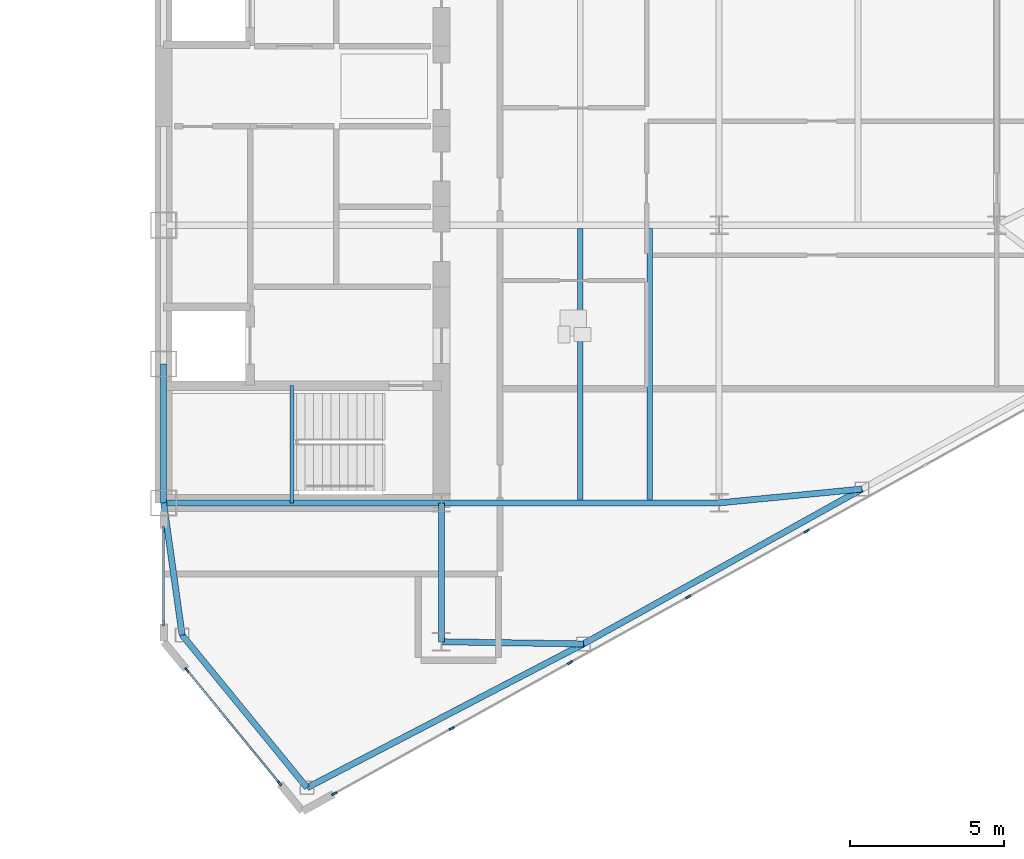
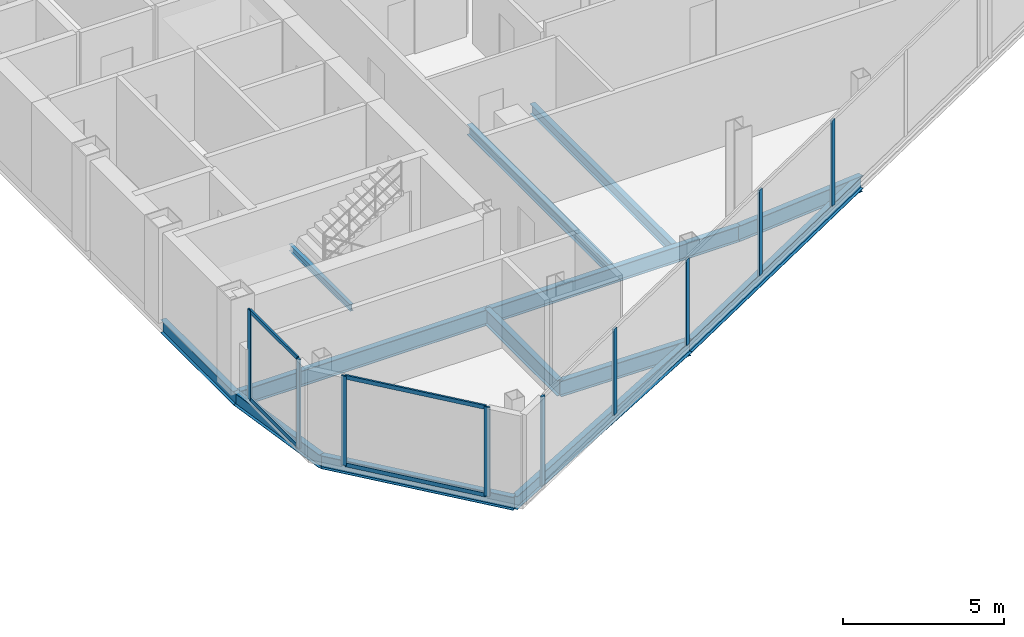
# One storey, part 11 of 26: 13 beams, 13 members, 3 elements without a shape of their own.
"""IFC4 building model written with IfcOpenShell, lengths in metres."""

from ifc_helpers import new_model, si_unit, direction, frame, origin, origin_2d, place, context, subcontext, project, spatial, rectangle, i_section, extrude, source, transform, mapped, material, layer, layer_set, material_profile, profile_set, type_object, type_shapes, element, aggregate, save


model = new_model("IFC4")

# Units and contexts
model_context = context("Model", 3, precision=1e-05, world=origin(), true_north=direction((0.0, 1.0)))
body_context = subcontext(model_context, "Body", "Model", "MODEL_VIEW")
ifc_project = project(units=[si_unit("LENGTHUNIT", "METRE"), si_unit("AREAUNIT", "SQUARE_METRE"), si_unit("VOLUMEUNIT", "CUBIC_METRE"), si_unit("PLANEANGLEUNIT", "RADIAN"), si_unit("MASSUNIT", "GRAM", prefix="KILO")], contexts=[model_context])

# Site, building, storey
site_placement = place(None, origin())
site = spatial("IfcSite", under=ifc_project, at=site_placement, CompositionType="ELEMENT")
building_placement = place(site_placement, origin())
building = spatial("IfcBuilding", under=site, at=building_placement, Name="Seokmaru Belvedere", CompositionType="ELEMENT")
storey_placement = place(building_placement, frame((0.0, 0.0, 192.300048828125)))
storey = spatial("IfcBuildingStorey", under=building, at=storey_placement, Name="L51", CompositionType="ELEMENT", Elevation=192.300048828125)

# Beams
ifc_material_1 = material(Name="Steel SM355 (355 MPa)", Category="steel")
ifc_material_profile_1 = material_profile(ifc_material_1, i_section(OverallWidth=0.199951171875, OverallDepth=0.5, WebThickness=0.010009765625, FlangeThickness=0.01611328125, at=origin_2d()), Name="H-500x200x10x16")
ifc_profile_set_1 = profile_set([ifc_material_profile_1], Name="Steel SM355 (355 MPa)")
beam_type_1 = type_object("IfcBeamType", Name="Perimeter Spandrel Beam H-500", PredefinedType="SPANDREL", material=ifc_profile_set_1)
shared_shape_1 = source(origin(), body_context, "Body", "SweptSolid", [
    extrude(i_section(OverallWidth=0.199951171875, OverallDepth=0.5, WebThickness=0.010009765625, FlangeThickness=0.01611328125, at=origin_2d()), origin(), (0.0, 0.0, 1.0), 4.5),
])
beam_1_placement = place(storey_placement, frame((27.5, -13.5, -0.469970703125), z_axis=(0.0, 1.0, 0.0), x_axis=(-1.0, 0.0, 0.0)))
element("IfcBeam", 1, at=beam_1_placement, inside=storey, type_object=beam_type_1, Name="L51 E Portal Spine Spandrel 1", PredefinedType="SPANDREL", context=body_context, shape_type="MappedRepresentation", body=[
    mapped(shared_shape_1, transform((0.0, 0.0, 0.0), scale=1.0)),
])
ifc_material_profile_2 = material_profile(ifc_material_1, i_section(OverallWidth=0.199951171875, OverallDepth=0.60009765625, WebThickness=0.010986328125, FlangeThickness=0.01708984375, at=origin_2d()), Name="H-600x200x11x17")
ifc_profile_set_2 = profile_set([ifc_material_profile_2], Name="Steel SM355 (355 MPa)")
beam_type_2 = type_object("IfcBeamType", Name="Primary Floor Girder H-600", PredefinedType="BEAM", material=ifc_profile_set_2)
shared_shape_2 = source(origin(), body_context, "Body", "SweptSolid", [
    extrude(i_section(OverallWidth=0.199951171875, OverallDepth=0.60009765625, WebThickness=0.010986328125, FlangeThickness=0.01708984375, at=origin_2d()), origin(), (0.0, 0.0, 1.0), 9.0),
])
for number, where, z_axis, x_axis, name in (
    (2, (27.5, -13.5, -0.52001953125), (1.0, 0.0, 0.0), (0.0, 1.0, 0.0), "L51 E Core Tie Girder 1"),
    (3, (36.5, -13.5, -0.52001953125), (1.0, 0.0, 0.0), (0.0, 1.0, 0.0), "L51 E Wing Primary Girder 1"),
):
    element("IfcBeam", number, at=place(storey_placement, frame(where, z_axis=z_axis, x_axis=x_axis)), inside=storey, type_object=beam_type_2, Name=name, PredefinedType="BEAM", context=body_context, shape_type="MappedRepresentation", body=[
        mapped(shared_shape_2, transform((0.0, 0.0, 0.0), scale=1.0)),
    ])
ifc_material_profile_3 = material_profile(ifc_material_1, i_section(OverallWidth=0.18505859375, OverallDepth=0.389892578125, WebThickness=0.008056640625, FlangeThickness=0.011962890625, at=origin_2d()), Name="H-390x185x8x12")
ifc_profile_set_3 = profile_set([ifc_material_profile_3], Name="Steel SM355 (355 MPa)")
beam_type_3 = type_object("IfcBeamType", Name="Secondary Floor Joist H-350", PredefinedType="JOIST", material=ifc_profile_set_3)
shared_shape_3 = source(origin(), body_context, "Body", "SweptSolid", [
    extrude(i_section(OverallWidth=0.18505859375, OverallDepth=0.389892578125, WebThickness=0.008056640625, FlangeThickness=0.011962890625, at=origin_2d()), origin(), (0.0, 0.0, 1.0), 8.7900390625),
])
type_shapes(beam_type_3, [shared_shape_3])
for number, where, z_axis, x_axis, name in (
    (4, (43.25, -13.39501953125, -0.4150390625), (0.0, 1.0, 0.0), (-1.0, 0.0, 0.0), "L51 E Wing Inner Secondary Joist 1"),
    (5, (41.0, -13.39501953125, -0.4150390625), (0.0, 1.0, 0.0), (-1.0, 0.0, 0.0), "L51 E Secondary Floor Joist 1"),
):
    element("IfcBeam", number, at=place(storey_placement, frame(where, z_axis=z_axis, x_axis=x_axis)), inside=storey, type_object=beam_type_3, Name=name, PredefinedType="JOIST", context=body_context, shape_type="MappedRepresentation", body=[
        mapped(shared_shape_3, transform((0.0, 0.0, 0.0), scale=1.0)),
    ])
shared_shape_4 = source(origin(), body_context, "Body", "SweptSolid", [
    extrude(i_section(OverallWidth=0.199951171875, OverallDepth=0.60009765625, WebThickness=0.010986328125, FlangeThickness=0.01708984375, at=origin_2d()), origin(), (0.0, 0.0, 1.0), 4.5),
])
beam_2_placement = place(storey_placement, frame((36.5, -18.0, -0.52001953125), z_axis=(0.0, 1.0, 0.0), x_axis=(-1.0, 0.0, 0.0)))
element("IfcBeam", 6, at=beam_2_placement, inside=storey, type_object=beam_type_2, Name="L51 E Core Shoulder Girder S", PredefinedType="BEAM", context=body_context, shape_type="MappedRepresentation", body=[
    mapped(shared_shape_4, transform((0.0, 0.0, 0.0), scale=1.0)),
])
shared_shape_5 = source(origin(), body_context, "Body", "SweptSolid", [
    extrude(i_section(OverallWidth=0.199951171875, OverallDepth=0.5, WebThickness=0.010009765625, FlangeThickness=0.01611328125, at=origin_2d()), origin(), (0.0, 0.0, 1.0), 10.09716796875),
])
beam_3_placement = place(storey_placement, frame((32.146728515625, -22.731689453125, -0.469970703125), z_axis=(0.887085728914, 0.461604711369, 0.0), x_axis=(-0.461604711369, 0.887085728914, 0.0)))
element("IfcBeam", 7, at=beam_3_placement, inside=storey, type_object=beam_type_1, Name="L51 E Faceted Flank Spandrel S-1", PredefinedType="SPANDREL", context=body_context, shape_type="MappedRepresentation", body=[
    mapped(shared_shape_5, transform((0.0, 0.0, 0.0), scale=1.0)),
])
shared_shape_6 = source(origin(), body_context, "Body", "SweptSolid", [
    extrude(i_section(OverallWidth=0.199951171875, OverallDepth=0.5, WebThickness=0.010009765625, FlangeThickness=0.01611328125, at=origin_2d()), origin(), (0.0, 0.0, 1.0), 10.327392578125),
])
beam_4_placement = place(storey_placement, frame((41.103759765625, -18.07080078125, -0.469970703125), z_axis=(0.873924120588, 0.486062374037, 0.0), x_axis=(-0.486062374037, 0.873924120588, 0.0)))
element("IfcBeam", 8, at=beam_4_placement, inside=storey, type_object=beam_type_1, Name="L51 E Faceted Flank Spandrel S-2", PredefinedType="SPANDREL", context=body_context, shape_type="MappedRepresentation", body=[
    mapped(shared_shape_6, transform((0.0, 0.0, 0.0), scale=1.0)),
])
shared_shape_7 = source(origin(), body_context, "Body", "SweptSolid", [
    extrude(i_section(OverallWidth=0.199951171875, OverallDepth=0.5, WebThickness=0.010009765625, FlangeThickness=0.01611328125, at=origin_2d()), origin(), (0.0, 0.0, 1.0), 6.390380859375),
])
beam_5_placement = place(storey_placement, frame((32.146728515625, -22.731689453125, -0.469970703125), z_axis=(-0.63324403161, 0.7739521926, 0.0), x_axis=(-0.7739521926, -0.63324403161, 0.0)))
element("IfcBeam", 9, at=beam_5_placement, inside=storey, type_object=beam_type_1, Name="L51 E Shoulder Chamfer Spandrel S", PredefinedType="SPANDREL", context=body_context, shape_type="MappedRepresentation", body=[
    mapped(shared_shape_7, transform((0.0, 0.0, 0.0), scale=1.0)),
])
shared_shape_8 = source(origin(), body_context, "Body", "SweptSolid", [
    extrude(i_section(OverallWidth=0.199951171875, OverallDepth=0.5, WebThickness=0.010009765625, FlangeThickness=0.01611328125, at=origin_2d()), origin(), (0.0, 0.0, 1.0), 4.32763671875),
])
type_shapes(beam_type_1, [shared_shape_1, shared_shape_5, shared_shape_6, shared_shape_7, shared_shape_8])
beam_6_placement = place(storey_placement, frame((28.10009765625, -17.785888671875, -0.469970703125), z_axis=(-0.138664443237, 0.990339422714, 0.0), x_axis=(-0.990339422714, -0.138664443237, 0.0)))
element("IfcBeam", 10, at=beam_6_placement, inside=storey, type_object=beam_type_1, Name="L51 E Shoulder Spine Spandrel S", PredefinedType="SPANDREL", context=body_context, shape_type="MappedRepresentation", body=[
    mapped(shared_shape_8, transform((0.0, 0.0, 0.0), scale=1.0)),
])
shared_shape_9 = source(origin(), body_context, "Body", "SweptSolid", [
    extrude(i_section(OverallWidth=0.199951171875, OverallDepth=0.60009765625, WebThickness=0.010986328125, FlangeThickness=0.01708984375, at=origin_2d()), origin(), (0.0, 0.0, 1.0), 4.604248046875),
])
beam_7_placement = place(storey_placement, frame((41.103759765625, -18.07080078125, -0.52001953125), z_axis=(-0.999881765622, 0.01537708607, 0.0), x_axis=(-0.01537708607, -0.999881765622, 0.0)))
element("IfcBeam", 11, at=beam_7_placement, inside=storey, type_object=beam_type_2, Name="L51 E Flank Radial Floor Girder S-1", PredefinedType="BEAM", context=body_context, shape_type="MappedRepresentation", body=[
    mapped(shared_shape_9, transform((0.0, 0.0, 0.0), scale=1.0)),
])
shared_shape_10 = source(origin(), body_context, "Body", "SweptSolid", [
    extrude(i_section(OverallWidth=0.199951171875, OverallDepth=0.60009765625, WebThickness=0.010986328125, FlangeThickness=0.01708984375, at=origin_2d()), origin(), (0.0, 0.0, 1.0), 4.65087890625),
])
type_shapes(beam_type_2, [shared_shape_2, shared_shape_4, shared_shape_9, shared_shape_10])
beam_8_placement = place(storey_placement, frame((50.129150390625, -13.051025390625, -0.52001953125), z_axis=(-0.995329534874, -0.09653557379, 0.0), x_axis=(0.09653557379, -0.995329534874, 0.0)))
element("IfcBeam", 12, at=beam_8_placement, inside=storey, type_object=beam_type_2, Name="L51 E Flank Radial Floor Girder S-2", PredefinedType="BEAM", context=body_context, shape_type="MappedRepresentation", body=[
    mapped(shared_shape_10, transform((0.0, 0.0, 0.0), scale=1.0)),
])

# Curtain wall, members
ifc_material_2 = material(Name="Bronze Triple Insulating Glass", Category="glass")
ifc_layer = layer(ifc_material_2, 0.179931640625)
ifc_layer_set = layer_set([ifc_layer], Name="Bronze Triple Insulating Glass")
curtain_wall_type = type_object("IfcCurtainWallType", Name="High-Rise Wind-Corner Curtain Wall System CW-5", PredefinedType="NOTDEFINED", material=ifc_layer_set)
curtain_wall_1_placement = place(storey_placement, origin())
curtain_wall_1 = element("IfcCurtainWall", 13, at=curtain_wall_1_placement, inside=storey, type_object=curtain_wall_type, Name="L51 Curtain Wall ESP_1", PredefinedType="NOTDEFINED")
ifc_material_3 = material(Name="Anodised Bronze Aluminium", Category="aluminium")
ifc_material_profile_4 = material_profile(ifc_material_3, rectangle(XDim=0.06494140625, YDim=0.14990234375, at=origin_2d()), Name="CW-T-65x150")
ifc_profile_set_4 = profile_set([ifc_material_profile_4], Name="Anodised Bronze Aluminium")
member_type_1 = type_object("IfcMemberType", Name="Bronze Unitised Transom 65x150", PredefinedType="USERDEFINED", material=ifc_profile_set_4)
shared_shape_11 = source(origin(), body_context, "Body", "SweptSolid", [
    extrude(rectangle(XDim=0.06494140625, YDim=0.14990234375, at=origin_2d()), origin(), (0.0, 0.0, 1.0), 2.969970703125),
])
member_1_placement = place(storey_placement, frame((27.5, -14.39501953125, 0.032470703125), z_axis=(0.0, -1.0, 0.0), x_axis=(1.0, 0.0, 0.0)))
member_1 = element("IfcMember", 14, at=member_1_placement, type_object=member_type_1, Name="CW:L51:ESP_1 Continuous Transom 1", ObjectType="TRANSOM", PredefinedType="USERDEFINED", context=body_context, shape_type="MappedRepresentation", body=[
    mapped(shared_shape_11, transform((0.0, 0.0, 0.0), scale=1.0)),
])
member_2_placement = place(storey_placement, frame((27.5, -14.39501953125, 3.347412109375), z_axis=(0.0, -1.0, 0.0), x_axis=(1.0, 0.0, 0.0)))
member_2 = element("IfcMember", 15, at=member_2_placement, type_object=member_type_1, Name="CW:L51:ESP_1 Continuous Transom 2", ObjectType="TRANSOM", PredefinedType="USERDEFINED", context=body_context, shape_type="MappedRepresentation", body=[
    mapped(shared_shape_11, transform((0.0, 0.0, 0.0), scale=1.0)),
])

curtain_wall_2_placement = place(storey_placement, origin())
curtain_wall_2 = element("IfcCurtainWall", 16, at=curtain_wall_2_placement, inside=storey, type_object=curtain_wall_type, Name="L51 Curtain Wall EF6", PredefinedType="NOTDEFINED")
shared_shape_12 = source(origin(), body_context, "Body", "SweptSolid", [
    extrude(rectangle(XDim=0.06494140625, YDim=0.14990234375, at=origin_2d()), origin(), (0.0, 0.0, 1.0), 4.67626953125),
])
type_shapes(member_type_1, [shared_shape_11, shared_shape_12])
member_3_placement = place(storey_placement, frame((28.269287109375, -18.9404296875, 0.032470703125), z_axis=(0.633277591216, -0.773924733074, 0.0), x_axis=(0.773924733074, 0.633277591216, 0.0)))
member_3 = element("IfcMember", 17, at=member_3_placement, type_object=member_type_1, Name="CW:L51:EF6 Continuous Transom 1", ObjectType="TRANSOM", PredefinedType="USERDEFINED", context=body_context, shape_type="MappedRepresentation", body=[
    mapped(shared_shape_12, transform((0.0, 0.0, 0.0), scale=1.0)),
])
member_4_placement = place(storey_placement, frame((28.269287109375, -18.9404296875, 3.347412109375), z_axis=(0.633277591216, -0.773924733074, 0.0), x_axis=(0.773924733074, 0.633277591216, 0.0)))
member_4 = element("IfcMember", 18, at=member_4_placement, type_object=member_type_1, Name="CW:L51:EF6 Continuous Transom 2", ObjectType="TRANSOM", PredefinedType="USERDEFINED", context=body_context, shape_type="MappedRepresentation", body=[
    mapped(shared_shape_12, transform((0.0, 0.0, 0.0), scale=1.0)),
])

# Curtain wall, member
curtain_wall_3_placement = place(storey_placement, origin())
curtain_wall_3 = element("IfcCurtainWall", 19, at=curtain_wall_3_placement, inside=storey, type_object=curtain_wall_type, Name="L51 Curtain Wall EF1", PredefinedType="NOTDEFINED")
ifc_material_profile_5 = material_profile(ifc_material_3, rectangle(XDim=0.06494140625, YDim=0.179931640625, at=origin_2d()), Name="CW-M-65x180")
ifc_profile_set_5 = profile_set([ifc_material_profile_5], Name="Anodised Bronze Aluminium")
member_type_2 = type_object("IfcMemberType", Name="Bronze Unitised Mullion 65x180", PredefinedType="MULLION", material=ifc_profile_set_5)
shared_shape_13 = source(origin(), body_context, "Body", "SweptSolid", [
    extrude(rectangle(XDim=0.06494140625, YDim=0.179931640625, at=origin_2d()), origin(), (0.0, 0.0, 1.0), 3.3798828125),
])
member_5_placement = place(storey_placement, frame((33.033447265625, -22.92529296875, 0.0), z_axis=(0.0, 0.0, 1.0), x_axis=(-0.486047125147, 0.873932601598, 0.0)))
member_5 = element("IfcMember", 20, at=member_5_placement, type_object=member_type_2, Name="CW:L51:EF1 Mullion 1", PredefinedType="MULLION", context=body_context, shape_type="MappedRepresentation", body=[
    mapped(shared_shape_13, transform((0.0, 0.0, 0.0), scale=1.0)),
])

# Member
member_6_placement = place(storey_placement, frame((27.5, -14.362548828125, 0.0), z_axis=(0.0, 0.0, 1.0), x_axis=(1.0, 0.0, 0.0)))
member_6 = element("IfcMember", 21, at=member_6_placement, type_object=member_type_2, Name="CW:L51:ESP_1 Mullion 1", PredefinedType="MULLION", context=body_context, shape_type="MappedRepresentation", body=[
    mapped(shared_shape_13, transform((0.0, 0.0, 0.0), scale=1.0)),
])

member_7_placement = place(storey_placement, frame((27.5, -17.3974609375, 0.0), z_axis=(0.0, 0.0, 1.0), x_axis=(1.0, 0.0, 0.0)))
member_7 = element("IfcMember", 22, at=member_7_placement, type_object=member_type_2, Name="CW:L51:ESP_1 Mullion 2", PredefinedType="MULLION", context=body_context, shape_type="MappedRepresentation", body=[
    mapped(shared_shape_13, transform((0.0, 0.0, 0.0), scale=1.0)),
])

aggregate(curtain_wall_1, [member_6, member_7, member_1, member_2])

member_8_placement = place(storey_placement, frame((28.248779296875, -18.915283203125, 0.0), z_axis=(0.0, 0.0, 1.0), x_axis=(0.773944112379, 0.633253907144, 0.0)))
member_8 = element("IfcMember", 23, at=member_8_placement, type_object=member_type_2, Name="CW:L51:EF6 Mullion 1", PredefinedType="MULLION", context=body_context, shape_type="MappedRepresentation", body=[
    mapped(shared_shape_13, transform((0.0, 0.0, 0.0), scale=1.0)),
])

member_9_placement = place(storey_placement, frame((31.251220703125, -22.584716796875, 0.0), z_axis=(0.0, 0.0, 1.0), x_axis=(0.773944112379, 0.633253907144, 0.0)))
member_9 = element("IfcMember", 24, at=member_9_placement, type_object=member_type_2, Name="CW:L51:EF6 Mullion 2", PredefinedType="MULLION", context=body_context, shape_type="MappedRepresentation", body=[
    mapped(shared_shape_13, transform((0.0, 0.0, 0.0), scale=1.0)),
])

aggregate(curtain_wall_2, [member_8, member_9, member_3, member_4])

shared_shape_14 = source(origin(), body_context, "Body", "SweptSolid", [
    extrude(rectangle(XDim=0.06494140625, YDim=0.179931640625, at=origin_2d()), origin(), (0.0, 0.0, 1.0), 3.25),
])
type_shapes(member_type_2, [shared_shape_13, shared_shape_14])
member_10_placement = place(storey_placement, frame((36.837158203125, -20.809814453125, 0.06494140625), z_axis=(0.0, 0.0, 1.0), x_axis=(-0.486047125147, 0.873932601598, 0.0)))
member_10 = element("IfcMember", 25, at=member_10_placement, type_object=member_type_2, Name="CW:L51:EF1 Mullion 2", PredefinedType="MULLION", context=body_context, shape_type="MappedRepresentation", body=[
    mapped(shared_shape_14, transform((0.0, 0.0, 0.0), scale=1.0)),
])

member_11_placement = place(storey_placement, frame((40.66943359375, -18.67822265625, 0.06494140625), z_axis=(0.0, 0.0, 1.0), x_axis=(-0.486047125147, 0.873932601598, 0.0)))
member_11 = element("IfcMember", 26, at=member_11_placement, type_object=member_type_2, Name="CW:L51:EF1 Mullion 3", PredefinedType="MULLION", context=body_context, shape_type="MappedRepresentation", body=[
    mapped(shared_shape_14, transform((0.0, 0.0, 0.0), scale=1.0)),
])

member_12_placement = place(storey_placement, frame((44.501708984375, -16.547119140625, 0.06494140625), z_axis=(0.0, 0.0, 1.0), x_axis=(-0.486047125147, 0.873932601598, 0.0)))
member_12 = element("IfcMember", 27, at=member_12_placement, type_object=member_type_2, Name="CW:L51:EF1 Mullion 4", PredefinedType="MULLION", context=body_context, shape_type="MappedRepresentation", body=[
    mapped(shared_shape_14, transform((0.0, 0.0, 0.0), scale=1.0)),
])

member_13_placement = place(storey_placement, frame((48.333984375, -14.415771484375, 0.06494140625), z_axis=(0.0, 0.0, 1.0), x_axis=(-0.486047125147, 0.873932601598, 0.0)))
member_13 = element("IfcMember", 28, at=member_13_placement, type_object=member_type_2, Name="CW:L51:EF1 Mullion 5", PredefinedType="MULLION", context=body_context, shape_type="MappedRepresentation", body=[
    mapped(shared_shape_14, transform((0.0, 0.0, 0.0), scale=1.0)),
])

aggregate(curtain_wall_3, [member_5, member_10, member_11, member_12, member_13])

# Beam
ifc_material_profile_6 = material_profile(ifc_material_1, i_section(OverallWidth=0.125, OverallDepth=0.25, WebThickness=0.006103515625, FlangeThickness=0.009033203125, at=origin_2d()), Name="H-250x125x6x9")
ifc_profile_set_6 = profile_set([ifc_material_profile_6], Name="Steel SM355 (355 MPa)")
beam_type_4 = type_object("IfcBeamType", Name="Stair Mid-Landing Support Beam H-250", PredefinedType="JOIST", material=ifc_profile_set_6)
shared_shape_15 = source(origin(), body_context, "Body", "SweptSolid", [
    extrude(i_section(OverallWidth=0.125, OverallDepth=0.25, WebThickness=0.006103515625, FlangeThickness=0.009033203125, at=origin_2d()), origin(), (0.0, 0.0, 1.0), 3.800048828125),
])
type_shapes(beam_type_4, [shared_shape_15])
beam_9_placement = place(storey_placement, frame((31.64990234375, -13.5, 1.474853515625), z_axis=(0.0, 1.0, 0.0), x_axis=(-1.0, 0.0, 0.0)))
element("IfcBeam", 29, at=beam_9_placement, inside=storey, type_object=beam_type_4, Name="L51 Stair ST-E1 Mid-Landing Support Beam 1", PredefinedType="JOIST", context=body_context, shape_type="MappedRepresentation", body=[
    mapped(shared_shape_15, transform((0.0, 0.0, 0.0), scale=1.0)),
])

save(model, "model.ifc")
